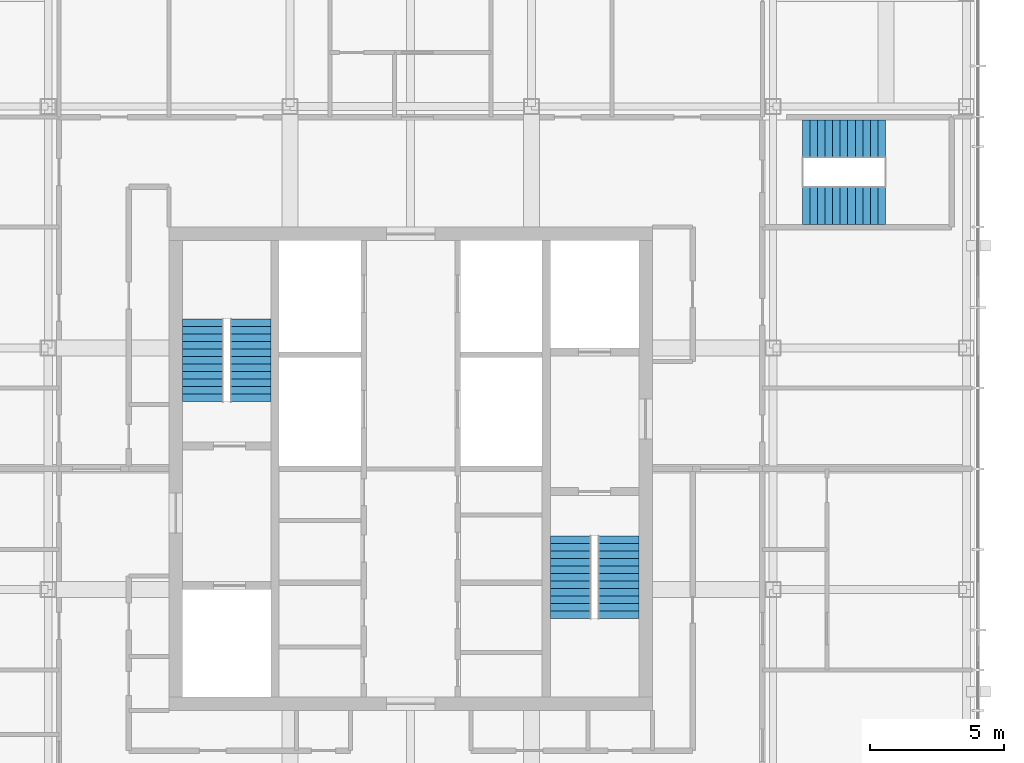
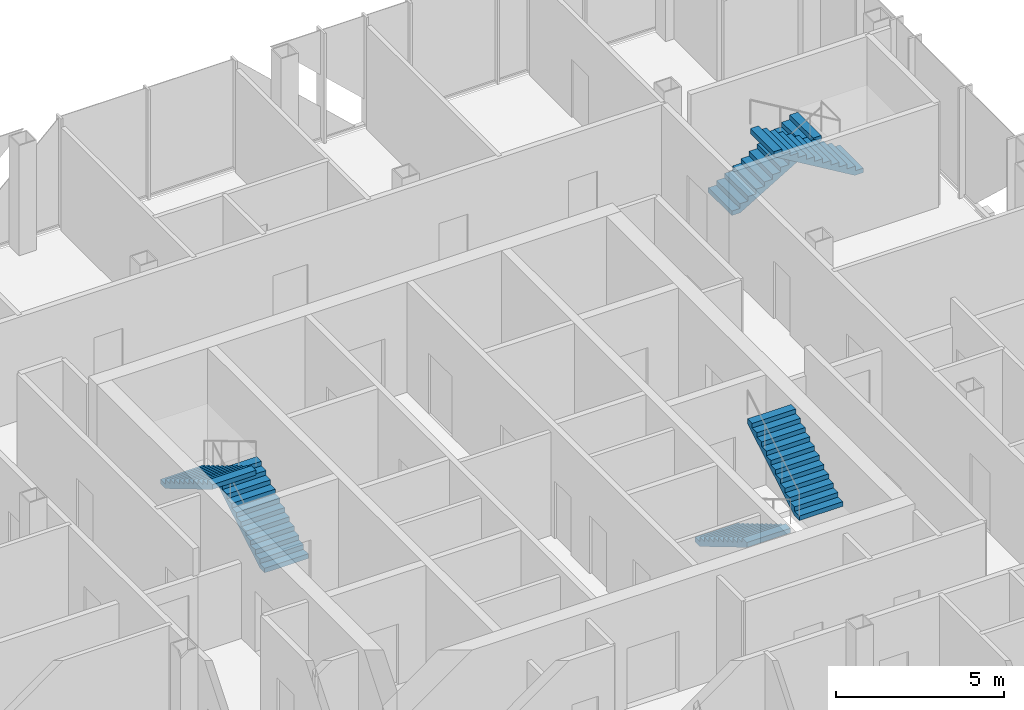
# One storey, part 11 of 12: 6 stair flights, 3 elements without a shape of their own.
"""IFC4 building model written with IfcOpenShell, lengths in metres."""

from ifc_helpers import new_model, si_unit, direction, frame, origin, place, context, subcontext, project, spatial, polyline, outline, extrude, material, type_object, element, aggregate, save


model = new_model("IFC4")

# Units and contexts
model_context = context("Model", 3, precision=1e-05, world=origin(), true_north=direction((0.0, 1.0)))
body_context = subcontext(model_context, "Body", "Model", "MODEL_VIEW")
ifc_project = project(units=[si_unit("LENGTHUNIT", "METRE"), si_unit("AREAUNIT", "SQUARE_METRE"), si_unit("VOLUMEUNIT", "CUBIC_METRE"), si_unit("PLANEANGLEUNIT", "RADIAN"), si_unit("MASSUNIT", "GRAM", prefix="KILO")], contexts=[model_context])

# Site, building, storey
site_placement = place(None, origin())
site = spatial("IfcSite", under=ifc_project, at=site_placement, CompositionType="ELEMENT")
building_placement = place(site_placement, origin())
building = spatial("IfcBuilding", under=site, at=building_placement, Name="Malebo Sky Hospital", CompositionType="ELEMENT")
storey_placement = place(building_placement, frame((0.0, 0.0, 262.0)))
storey = spatial("IfcBuildingStorey", under=building, at=storey_placement, Name="L63", CompositionType="ELEMENT", Elevation=262.0)

# Stair, stair flights
ifc_material = material(Name="Concrete C40/50", Category="concrete")
stair_type_1 = type_object("IfcStairType", Name="HALF-TURN STAIR 1400 R167", PredefinedType="HALF_TURN_STAIR", material=ifc_material)
stair_1_placement = place(storey_placement, origin())
stair_1 = element("IfcStair", 1, at=stair_1_placement, inside=storey, type_object=stair_type_1, Name="Stair S3 L63 type ST1B", PredefinedType="HALF_TURN_STAIR")
stair_flight_type_1 = type_object("IfcStairFlightType", Name="STAIR FLIGHT 1400 R167", PredefinedType="STRAIGHT", material=ifc_material)
stair_flight_1_placement = place(storey_placement, frame((74.60009765625, 74.300048828125, 0.0), z_axis=(0.0, 0.0, 1.0), x_axis=(1.0, 0.0, 0.0)))
stair_flight_1 = element("IfcStairFlight", 2, at=stair_flight_1_placement, type_object=stair_flight_type_1, Name="S3 flight 1 type SF1B", NumberOfRisers=12, NumberOfTreads=11, PredefinedType="STRAIGHT", RiserHeight=0.166666667, TreadLength=0.28, context=body_context, shape_type="SweptSolid", body=[
    extrude(outline(polyline([(0.0, 0.0), (0.0, 0.166748046875), (0.280029296875, 0.166748046875), (0.280029296875, 0.333251953125), (0.56005859375, 0.333251953125), (0.56005859375, 0.5), (0.840087890625, 0.5), (0.840087890625, 0.666748046875), (1.1201171875, 0.666748046875), (1.1201171875, 0.833251953125), (1.39990234375, 0.833251953125), (1.39990234375, 1.0), (1.679931640625, 1.0), (1.679931640625, 1.166748046875), (1.9599609375, 1.166748046875), (1.9599609375, 1.333251953125), (2.239990234375, 1.333251953125), (2.239990234375, 1.5), (2.52001953125, 1.5), (2.52001953125, 1.666748046875), (2.800048828125, 1.666748046875), (2.800048828125, 1.833251953125), (3.080078125, 1.833251953125), (3.080078125, 2.0), (3.080078125, 1.658935546875), (0.29296875, 0.0), (0.0, 0.0)])), frame((0.0, 0.699951171875, 0.0), z_axis=(0.0, -1.0, 0.0), x_axis=(1.0, 0.0, 0.0)), (0.0, 0.0, 1.0), 1.39990234375),
])
stair_flight_2_placement = place(storey_placement, frame((77.679931640625, 71.800048828125, 2.0), z_axis=(0.0, 0.0, 1.0), x_axis=(-1.0, 0.0, 0.0)))
stair_flight_2 = element("IfcStairFlight", 3, at=stair_flight_2_placement, type_object=stair_flight_type_1, Name="S3 flight 2 type SF1B", NumberOfRisers=12, NumberOfTreads=11, PredefinedType="STRAIGHT", RiserHeight=0.166666667, TreadLength=0.28, context=body_context, shape_type="SweptSolid", body=[
    extrude(outline(polyline([(0.0, 0.0), (0.0, 0.166748046875), (0.280029296875, 0.166748046875), (0.280029296875, 0.333251953125), (0.56005859375, 0.333251953125), (0.56005859375, 0.5), (0.840087890625, 0.5), (0.840087890625, 0.666748046875), (1.1201171875, 0.666748046875), (1.1201171875, 0.833251953125), (1.39990234375, 0.833251953125), (1.39990234375, 1.0), (1.679931640625, 1.0), (1.679931640625, 1.166748046875), (1.9599609375, 1.166748046875), (1.9599609375, 1.333251953125), (2.239990234375, 1.333251953125), (2.239990234375, 1.5), (2.52001953125, 1.5), (2.52001953125, 1.666748046875), (2.800048828125, 1.666748046875), (2.800048828125, 1.833251953125), (3.080078125, 1.833251953125), (3.080078125, 2.0), (3.080078125, 1.658935546875), (0.29296875, 0.0), (0.0, 0.0)])), frame((0.0, 0.699951171875, 0.0), z_axis=(0.0, -1.0, 0.0), x_axis=(1.0, 0.0, 0.0)), (0.0, 0.0, 1.0), 1.39990234375),
])
aggregate(stair_1, [stair_flight_1, stair_flight_2])

stair_type_2 = type_object("IfcStairType", Name="HALF-TURN STAIR 1500 R167", PredefinedType="HALF_TURN_STAIR", material=ifc_material)
stair_2_placement = place(storey_placement, origin())
stair_2 = element("IfcStair", 4, at=stair_2_placement, inside=storey, type_object=stair_type_2, Name="Stair S1 L63 type ST1", PredefinedType="HALF_TURN_STAIR")
stair_flight_type_2 = type_object("IfcStairFlightType", Name="STAIR FLIGHT 1500 R167", PredefinedType="STRAIGHT", material=ifc_material)
stair_flight_3_placement = place(storey_placement, frame((54.050048828125, 64.5, 0.0), z_axis=(0.0, 0.0, 1.0), x_axis=(0.0, 1.0, 0.0)))
stair_flight_3 = element("IfcStairFlight", 5, at=stair_flight_3_placement, type_object=stair_flight_type_2, Name="S1 flight 1 type SF1", NumberOfRisers=12, NumberOfTreads=11, PredefinedType="STRAIGHT", RiserHeight=0.166666667, TreadLength=0.28, context=body_context, shape_type="SweptSolid", body=[
    extrude(outline(polyline([(0.0, 0.0), (0.0, 0.166748046875), (0.280029296875, 0.166748046875), (0.280029296875, 0.333251953125), (0.56005859375, 0.333251953125), (0.56005859375, 0.5), (0.840087890625, 0.5), (0.840087890625, 0.666748046875), (1.1201171875, 0.666748046875), (1.1201171875, 0.833251953125), (1.39990234375, 0.833251953125), (1.39990234375, 1.0), (1.679931640625, 1.0), (1.679931640625, 1.166748046875), (1.9599609375, 1.166748046875), (1.9599609375, 1.333251953125), (2.239990234375, 1.333251953125), (2.239990234375, 1.5), (2.52001953125, 1.5), (2.52001953125, 1.666748046875), (2.800048828125, 1.666748046875), (2.800048828125, 1.833251953125), (3.080078125, 1.833251953125), (3.080078125, 2.0), (3.080078125, 1.658935546875), (0.29296875, 0.0), (0.0, 0.0)])), frame((0.0, 0.75, 0.0), z_axis=(0.0, -1.0, 0.0), x_axis=(1.0, 0.0, 0.0)), (0.0, 0.0, 1.0), 1.5),
])
stair_flight_4_placement = place(storey_placement, frame((52.25, 67.580078125, 2.0), z_axis=(0.0, 0.0, 1.0), x_axis=(0.0, -1.0, 0.0)))
stair_flight_4 = element("IfcStairFlight", 6, at=stair_flight_4_placement, type_object=stair_flight_type_2, Name="S1 flight 2 type SF1", NumberOfRisers=12, NumberOfTreads=11, PredefinedType="STRAIGHT", RiserHeight=0.166666667, TreadLength=0.28, context=body_context, shape_type="SweptSolid", body=[
    extrude(outline(polyline([(0.0, 0.0), (0.0, 0.166748046875), (0.280029296875, 0.166748046875), (0.280029296875, 0.333251953125), (0.56005859375, 0.333251953125), (0.56005859375, 0.5), (0.840087890625, 0.5), (0.840087890625, 0.666748046875), (1.1201171875, 0.666748046875), (1.1201171875, 0.833251953125), (1.39990234375, 0.833251953125), (1.39990234375, 1.0), (1.679931640625, 1.0), (1.679931640625, 1.166748046875), (1.9599609375, 1.166748046875), (1.9599609375, 1.333251953125), (2.239990234375, 1.333251953125), (2.239990234375, 1.5), (2.52001953125, 1.5), (2.52001953125, 1.666748046875), (2.800048828125, 1.666748046875), (2.800048828125, 1.833251953125), (3.080078125, 1.833251953125), (3.080078125, 2.0), (3.080078125, 1.658935546875), (0.29296875, 0.0), (0.0, 0.0)])), frame((0.0, 0.75, 0.0), z_axis=(0.0, -1.0, 0.0), x_axis=(1.0, 0.0, 0.0)), (0.0, 0.0, 1.0), 1.5),
])
aggregate(stair_2, [stair_flight_3, stair_flight_4])

stair_3_placement = place(storey_placement, origin())
stair_3 = element("IfcStair", 7, at=stair_3_placement, inside=storey, type_object=stair_type_2, Name="Stair S2 L63 type ST1", PredefinedType="HALF_TURN_STAIR")
stair_flight_5_placement = place(storey_placement, frame((65.949951171875, 59.5, 0.0), z_axis=(0.0, 0.0, 1.0), x_axis=(0.0, -1.0, 0.0)))
stair_flight_5 = element("IfcStairFlight", 8, at=stair_flight_5_placement, type_object=stair_flight_type_2, Name="S2 flight 1 type SF1", NumberOfRisers=12, NumberOfTreads=11, PredefinedType="STRAIGHT", RiserHeight=0.166666667, TreadLength=0.28, context=body_context, shape_type="SweptSolid", body=[
    extrude(outline(polyline([(0.0, 0.0), (0.0, 0.166748046875), (0.280029296875, 0.166748046875), (0.280029296875, 0.333251953125), (0.56005859375, 0.333251953125), (0.56005859375, 0.5), (0.840087890625, 0.5), (0.840087890625, 0.666748046875), (1.1201171875, 0.666748046875), (1.1201171875, 0.833251953125), (1.39990234375, 0.833251953125), (1.39990234375, 1.0), (1.679931640625, 1.0), (1.679931640625, 1.166748046875), (1.9599609375, 1.166748046875), (1.9599609375, 1.333251953125), (2.239990234375, 1.333251953125), (2.239990234375, 1.5), (2.52001953125, 1.5), (2.52001953125, 1.666748046875), (2.800048828125, 1.666748046875), (2.800048828125, 1.833251953125), (3.080078125, 1.833251953125), (3.080078125, 2.0), (3.080078125, 1.658935546875), (0.29296875, 0.0), (0.0, 0.0)])), frame((0.0, 0.75, 0.0), z_axis=(0.0, -1.0, 0.0), x_axis=(1.0, 0.0, 0.0)), (0.0, 0.0, 1.0), 1.5),
])
stair_flight_6_placement = place(storey_placement, frame((67.75, 56.419921875, 2.0), z_axis=(0.0, 0.0, 1.0), x_axis=(0.0, 1.0, 0.0)))
stair_flight_6 = element("IfcStairFlight", 9, at=stair_flight_6_placement, type_object=stair_flight_type_2, Name="S2 flight 2 type SF1", NumberOfRisers=12, NumberOfTreads=11, PredefinedType="STRAIGHT", RiserHeight=0.166666667, TreadLength=0.28, context=body_context, shape_type="SweptSolid", body=[
    extrude(outline(polyline([(0.0, 0.0), (0.0, 0.166748046875), (0.280029296875, 0.166748046875), (0.280029296875, 0.333251953125), (0.56005859375, 0.333251953125), (0.56005859375, 0.5), (0.840087890625, 0.5), (0.840087890625, 0.666748046875), (1.1201171875, 0.666748046875), (1.1201171875, 0.833251953125), (1.39990234375, 0.833251953125), (1.39990234375, 1.0), (1.679931640625, 1.0), (1.679931640625, 1.166748046875), (1.9599609375, 1.166748046875), (1.9599609375, 1.333251953125), (2.239990234375, 1.333251953125), (2.239990234375, 1.5), (2.52001953125, 1.5), (2.52001953125, 1.666748046875), (2.800048828125, 1.666748046875), (2.800048828125, 1.833251953125), (3.080078125, 1.833251953125), (3.080078125, 2.0), (3.080078125, 1.658935546875), (0.29296875, 0.0), (0.0, 0.0)])), frame((0.0, 0.75, 0.0), z_axis=(0.0, -1.0, 0.0), x_axis=(1.0, 0.0, 0.0)), (0.0, 0.0, 1.0), 1.5),
])
aggregate(stair_3, [stair_flight_5, stair_flight_6])

save(model, "model.ifc")
